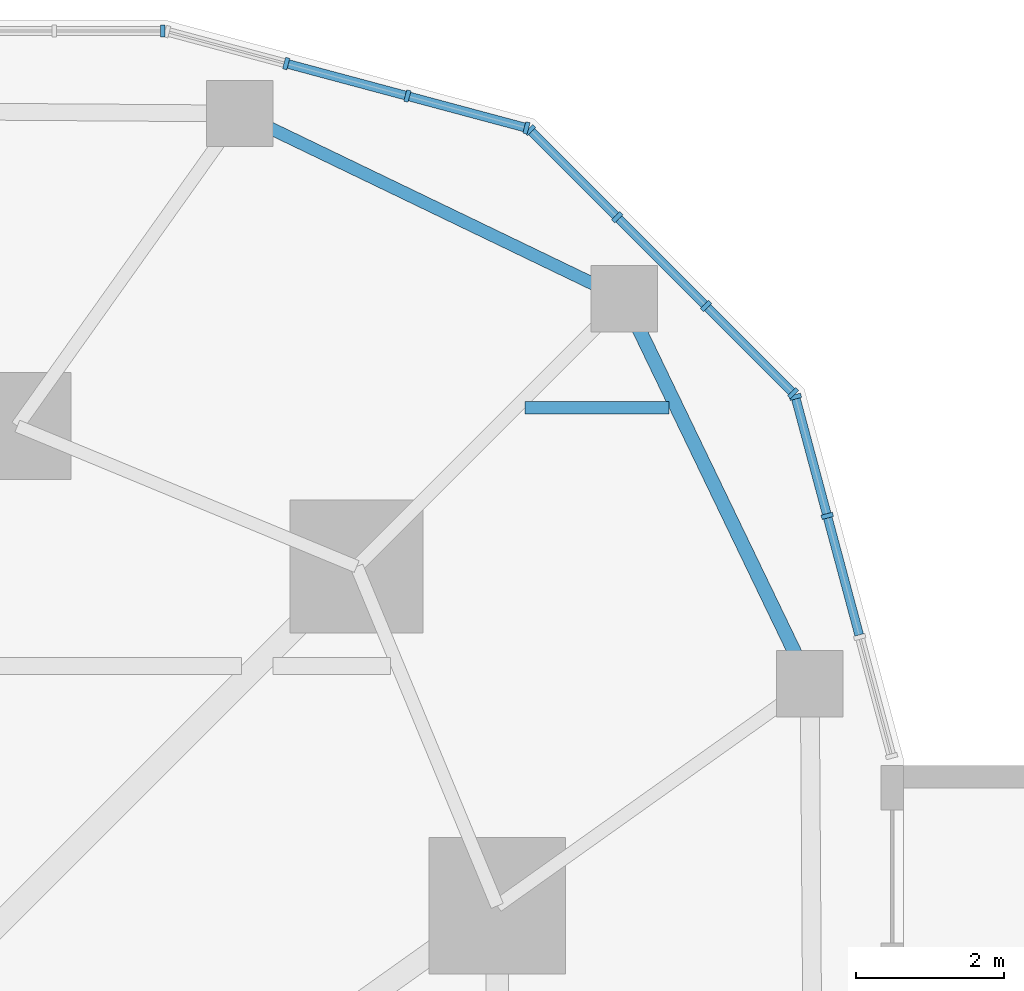
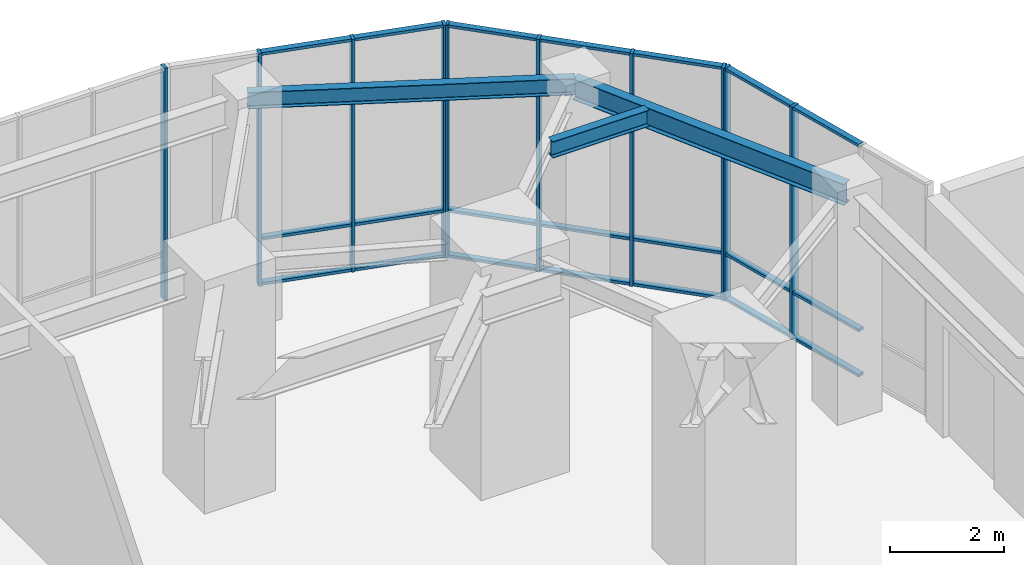
# One storey, part 15 of 24: 31 members, 3 beams, 4 elements without a shape of their own.
"""IFC4 building model written with IfcOpenShell, lengths in metres."""

from ifc_helpers import new_model, si_unit, direction, frame, origin, origin_2d, place, context, subcontext, project, spatial, rectangle, i_section, extrude, material, material_profile, profile_set, type_object, element, aggregate, save


model = new_model("IFC4")

# Units and contexts
model_context = context("Model", 3, precision=1e-05, world=origin(), true_north=direction((0.0, 1.0)))
body_context = subcontext(model_context, "Body", "Model", "MODEL_VIEW")
ifc_project = project(units=[si_unit("LENGTHUNIT", "METRE"), si_unit("AREAUNIT", "SQUARE_METRE"), si_unit("VOLUMEUNIT", "CUBIC_METRE"), si_unit("PLANEANGLEUNIT", "RADIAN"), si_unit("MASSUNIT", "GRAM", prefix="KILO")], contexts=[model_context])

# Site, building, storey
site_placement = place(None, origin())
site = spatial("IfcSite", under=ifc_project, at=site_placement, CompositionType="ELEMENT")
building_placement = place(site_placement, origin())
building = spatial("IfcBuilding", under=site, at=building_placement, Name="Nakasero Lantern House", CompositionType="ELEMENT")
storey_placement = place(building_placement, frame((0.0, 0.0, 6.0)))
storey = spatial("IfcBuildingStorey", under=building, at=storey_placement, Name="L01", CompositionType="ELEMENT", Elevation=6.0)

# Beam
ifc_material_1 = material(Name="Steel S355", Category="steel")
ifc_material_profile_1 = material_profile(ifc_material_1, i_section(OverallWidth=0.17138671875, OverallDepth=0.35498046875, WebThickness=0.00732421875, FlangeThickness=0.011474609375, FilletRadius=0.01025390625, at=origin_2d()), Name="UB 356x171x51")
ifc_profile_set_1 = profile_set([ifc_material_profile_1], Name="Steel S355")
beam_type_1 = type_object("IfcBeamType", Name="Infill beam UB 356x171x51", PredefinedType="JOIST", material=ifc_profile_set_1)
beam_1_placement = place(storey_placement, frame((22.875732421875, 22.75, 4.62255859375), z_axis=(1.0, 0.0, 0.0), x_axis=(0.0, 1.0, 0.0)))
element("IfcBeam", 1, at=beam_1_placement, inside=storey, type_object=beam_type_1, Name="Infill beam L02 15.2", PredefinedType="JOIST", context=body_context, shape_type="SweptSolid", body=[
    extrude(i_section(OverallWidth=0.17138671875, OverallDepth=0.35498046875, WebThickness=0.00732421875, FlangeThickness=0.011474609375, FilletRadius=0.01025390625, at=origin_2d()), origin(), (0.0, 0.0, 1.0), 1.950927734375),
])

# Curtain wall, members
ifc_material_2 = material(Name="Aluminium 6063-T6 and glass", Category="aluminium")
curtain_wall_type = type_object("IfcCurtainWallType", Name="Podium curtain wall CW-2", PredefinedType="USERDEFINED", material=ifc_material_2)
curtain_wall_1_placement = place(storey_placement, origin())
curtain_wall_1 = element("IfcCurtainWall", 2, at=curtain_wall_1_placement, inside=storey, type_object=curtain_wall_type, Name="Curtain wall CW-2 L01", ObjectType="STICK CURTAIN WALL", PredefinedType="USERDEFINED")
ifc_material_3 = material(Name="Aluminium 6063-T6", Category="aluminium")
ifc_material_profile_2 = material_profile(ifc_material_3, rectangle(XDim=0.06005859375, YDim=0.159912109375, at=origin_2d()), Name="CW-2 mullion 60x160")
ifc_profile_set_2 = profile_set([ifc_material_profile_2], Name="Aluminium 6063-T6")
member_type_1 = type_object("IfcMemberType", Name="Mullion CW-2", PredefinedType="MULLION", material=ifc_profile_set_2)
member_1_placement = place(storey_placement, frame((26.97021484375, 21.283447265625, 0.0), z_axis=(0.0, 0.0, 1.0), x_axis=(-0.258819045103, 0.965925826289, 0.0)))
member_1 = element("IfcMember", 3, at=member_1_placement, type_object=member_type_1, Name="CW-2 mullion 3", PredefinedType="MULLION", context=body_context, shape_type="SweptSolid", body=[
    extrude(rectangle(XDim=0.06005859375, YDim=0.159912109375, at=origin_2d()), origin(), (0.0, 0.0, 1.0), 5.0),
])
member_2_placement = place(storey_placement, frame((26.5380859375, 22.89599609375, 0.0), z_axis=(0.0, 0.0, 1.0), x_axis=(-0.258819045103, 0.965925826289, 0.0)))
member_2 = element("IfcMember", 4, at=member_2_placement, type_object=member_type_1, Name="CW-2 mullion 4", PredefinedType="MULLION", context=body_context, shape_type="SweptSolid", body=[
    extrude(rectangle(XDim=0.06005859375, YDim=0.159912109375, at=origin_2d()), origin(), (0.0, 0.0, 1.0), 5.0),
])

curtain_wall_2_placement = place(storey_placement, origin())
curtain_wall_2 = element("IfcCurtainWall", 5, at=curtain_wall_2_placement, inside=storey, type_object=curtain_wall_type, Name="Curtain wall CW-2 L01", ObjectType="STICK CURTAIN WALL", PredefinedType="USERDEFINED")
member_3_placement = place(storey_placement, frame((26.509033203125, 22.9462890625, 0.0), z_axis=(0.0, 0.0, 1.0), x_axis=(-0.707106781187, 0.707106781187, 0.0)))
member_3 = element("IfcMember", 6, at=member_3_placement, type_object=member_type_1, Name="CW-2 mullion 1", PredefinedType="MULLION", context=body_context, shape_type="SweptSolid", body=[
    extrude(rectangle(XDim=0.06005859375, YDim=0.159912109375, at=origin_2d()), origin(), (0.0, 0.0, 1.0), 5.0),
])
member_4_placement = place(storey_placement, frame((25.32861328125, 24.126708984375, 0.0), z_axis=(0.0, 0.0, 1.0), x_axis=(-0.707106781187, 0.707106781187, 0.0)))
member_4 = element("IfcMember", 7, at=member_4_placement, type_object=member_type_1, Name="CW-2 mullion 2", PredefinedType="MULLION", context=body_context, shape_type="SweptSolid", body=[
    extrude(rectangle(XDim=0.06005859375, YDim=0.159912109375, at=origin_2d()), origin(), (0.0, 0.0, 1.0), 5.0),
])
member_5_placement = place(storey_placement, frame((24.126708984375, 25.32861328125, 0.0), z_axis=(0.0, 0.0, 1.0), x_axis=(-0.707106781187, 0.707106781187, 0.0)))
member_5 = element("IfcMember", 8, at=member_5_placement, type_object=member_type_1, Name="CW-2 mullion 3", PredefinedType="MULLION", context=body_context, shape_type="SweptSolid", body=[
    extrude(rectangle(XDim=0.06005859375, YDim=0.159912109375, at=origin_2d()), origin(), (0.0, 0.0, 1.0), 5.0),
])
member_6_placement = place(storey_placement, frame((22.9462890625, 26.509033203125, 0.0), z_axis=(0.0, 0.0, 1.0), x_axis=(-0.707106781187, 0.707106781187, 0.0)))
member_6 = element("IfcMember", 9, at=member_6_placement, type_object=member_type_1, Name="CW-2 mullion 4", PredefinedType="MULLION", context=body_context, shape_type="SweptSolid", body=[
    extrude(rectangle(XDim=0.06005859375, YDim=0.159912109375, at=origin_2d()), origin(), (0.0, 0.0, 1.0), 5.0),
])

curtain_wall_3_placement = place(storey_placement, origin())
curtain_wall_3 = element("IfcCurtainWall", 10, at=curtain_wall_3_placement, inside=storey, type_object=curtain_wall_type, Name="Curtain wall CW-2 L01", ObjectType="STICK CURTAIN WALL", PredefinedType="USERDEFINED")
member_7_placement = place(storey_placement, frame((22.89599609375, 26.5380859375, 0.0), z_axis=(0.0, 0.0, 1.0), x_axis=(-0.965925826289, 0.258819045103, 0.0)))
member_7 = element("IfcMember", 11, at=member_7_placement, type_object=member_type_1, Name="CW-2 mullion 1", PredefinedType="MULLION", context=body_context, shape_type="SweptSolid", body=[
    extrude(rectangle(XDim=0.06005859375, YDim=0.159912109375, at=origin_2d()), origin(), (0.0, 0.0, 1.0), 5.0),
])
member_8_placement = place(storey_placement, frame((21.283447265625, 26.97021484375, 0.0), z_axis=(0.0, 0.0, 1.0), x_axis=(-0.965925826289, 0.258819045103, 0.0)))
member_8 = element("IfcMember", 12, at=member_8_placement, type_object=member_type_1, Name="CW-2 mullion 2", PredefinedType="MULLION", context=body_context, shape_type="SweptSolid", body=[
    extrude(rectangle(XDim=0.06005859375, YDim=0.159912109375, at=origin_2d()), origin(), (0.0, 0.0, 1.0), 5.0),
])
member_9_placement = place(storey_placement, frame((19.6416015625, 27.41015625, 0.0), z_axis=(0.0, 0.0, 1.0), x_axis=(-0.965925826289, 0.258819045103, 0.0)))
member_9 = element("IfcMember", 13, at=member_9_placement, type_object=member_type_1, Name="CW-2 mullion 3", PredefinedType="MULLION", context=body_context, shape_type="SweptSolid", body=[
    extrude(rectangle(XDim=0.06005859375, YDim=0.159912109375, at=origin_2d()), origin(), (0.0, 0.0, 1.0), 5.0),
])

# Curtain wall, member
curtain_wall_4_placement = place(storey_placement, origin())
curtain_wall_4 = element("IfcCurtainWall", 14, at=curtain_wall_4_placement, inside=storey, type_object=curtain_wall_type, Name="Curtain wall CW-2 L01", ObjectType="STICK CURTAIN WALL", PredefinedType="USERDEFINED")
member_10_placement = place(storey_placement, frame((17.969970703125, 27.85009765625, 0.0), z_axis=(0.0, 0.0, 1.0), x_axis=(-1.0, 0.0, 0.0)))
member_10 = element("IfcMember", 15, at=member_10_placement, type_object=member_type_1, Name="CW-2 mullion 1", PredefinedType="MULLION", context=body_context, shape_type="SweptSolid", body=[
    extrude(rectangle(XDim=0.06005859375, YDim=0.159912109375, at=origin_2d()), origin(), (0.0, 0.0, 1.0), 5.0),
])
aggregate(curtain_wall_4, [member_10])

# Beams
ifc_material_4 = material(Name="Steel S355", Category="steel")
ifc_material_profile_3 = material_profile(ifc_material_4, i_section(OverallWidth=0.17138671875, OverallDepth=0.35498046875, WebThickness=0.00732421875, FlangeThickness=0.011474609375, FilletRadius=0.01025390625, at=origin_2d()), Name="UB 356x171x51")
ifc_profile_set_3 = profile_set([ifc_material_profile_3], Name="Steel S355")
beam_type_2 = type_object("IfcBeamType", Name="Ring beam UB 356x171x51", PredefinedType="BEAM", material=ifc_profile_set_3)
beam_2_placement = place(storey_placement, frame((24.22265625, 24.22265625, 4.62255859375), z_axis=(-0.900897176145, 0.434032577134, 0.0), x_axis=(-0.434032577134, -0.900897176145, 0.0)))
element("IfcBeam", 16, at=beam_2_placement, inside=storey, type_object=beam_type_2, Name="Ring beam L02 POD-C06", PredefinedType="BEAM", context=body_context, shape_type="SweptSolid", body=[
    extrude(i_section(OverallWidth=0.17138671875, OverallDepth=0.35498046875, WebThickness=0.00732421875, FlangeThickness=0.011474609375, FilletRadius=0.01025390625, at=origin_2d()), origin(), (0.0, 0.0, 1.0), 5.78515625),
])
ifc_material_5 = material(Name="Steel S355", Category="steel")
ifc_material_profile_4 = material_profile(ifc_material_5, i_section(OverallWidth=0.18994140625, OverallDepth=0.453369140625, WebThickness=0.008544921875, FlangeThickness=0.0126953125, FilletRadius=0.01025390625, at=origin_2d()), Name="UB 457x191x67")
ifc_profile_set_4 = profile_set([ifc_material_profile_4], Name="Steel S355")
beam_type_3 = type_object("IfcBeamType", Name="Ring beam UB 457x191x67", PredefinedType="BEAM", material=ifc_profile_set_4)
beam_3_placement = place(storey_placement, frame((26.733642578125, 19.0107421875, 4.5732421875), z_axis=(-0.434032577134, 0.900897176145, 0.0), x_axis=(-0.900897176145, -0.434032577134, 0.0)))
element("IfcBeam", 17, at=beam_3_placement, inside=storey, type_object=beam_type_3, Name="Ring beam L02 POD-C05", PredefinedType="BEAM", context=body_context, shape_type="SweptSolid", body=[
    extrude(i_section(OverallWidth=0.18994140625, OverallDepth=0.453369140625, WebThickness=0.008544921875, FlangeThickness=0.0126953125, FilletRadius=0.01025390625, at=origin_2d()), origin(), (0.0, 0.0, 1.0), 5.78515625),
])

# Member
ifc_material_6 = material(Name="Aluminium 6063-T6", Category="aluminium")
ifc_material_profile_5 = material_profile(ifc_material_6, rectangle(XDim=0.06005859375, YDim=0.1201171875, at=origin_2d()), Name="CW-2 transom 60x120")
ifc_profile_set_5 = profile_set([ifc_material_profile_5], Name="Aluminium 6063-T6")
member_type_2 = type_object("IfcMemberType", Name="Transom CW-2", PredefinedType="USERDEFINED", material=ifc_profile_set_5)
member_11_placement = place(storey_placement, frame((27.40234375, 19.670654296875, 0.030029296875), z_axis=(-0.258793147214, 0.965932765235, 0.0), x_axis=(0.0, 0.0, 1.0)))
member_11 = element("IfcMember", 18, at=member_11_placement, type_object=member_type_2, Name="CW-2 transom 2.1", ObjectType="TRANSOM", PredefinedType="USERDEFINED", context=body_context, shape_type="SweptSolid", body=[
    extrude(rectangle(XDim=0.06005859375, YDim=0.1201171875, at=origin_2d()), origin(), (0.0, 0.0, 1.0), 1.6396484375),
])

member_12_placement = place(storey_placement, frame((27.40234375, 19.670654296875, 1.0), z_axis=(-0.258793147214, 0.965932765235, 0.0), x_axis=(0.0, 0.0, 1.0)))
member_12 = element("IfcMember", 19, at=member_12_placement, type_object=member_type_2, Name="CW-2 transom 2.2", ObjectType="TRANSOM", PredefinedType="USERDEFINED", context=body_context, shape_type="SweptSolid", body=[
    extrude(rectangle(XDim=0.06005859375, YDim=0.1201171875, at=origin_2d()), origin(), (0.0, 0.0, 1.0), 1.6396484375),
])

member_13_placement = place(storey_placement, frame((27.40234375, 19.670654296875, 4.969970703125), z_axis=(-0.258793147214, 0.965932765235, 0.0), x_axis=(0.0, 0.0, 1.0)))
member_13 = element("IfcMember", 20, at=member_13_placement, type_object=member_type_2, Name="CW-2 transom 2.3", ObjectType="TRANSOM", PredefinedType="USERDEFINED", context=body_context, shape_type="SweptSolid", body=[
    extrude(rectangle(XDim=0.06005859375, YDim=0.1201171875, at=origin_2d()), origin(), (0.0, 0.0, 1.0), 1.6396484375),
])

member_14_placement = place(storey_placement, frame((26.96240234375, 21.312255859375, 0.030029296875), z_axis=(-0.258776522595, 0.965937219158, 0.0), x_axis=(0.0, 0.0, 1.0)))
member_14 = element("IfcMember", 21, at=member_14_placement, type_object=member_type_2, Name="CW-2 transom 3.1", ObjectType="TRANSOM", PredefinedType="USERDEFINED", context=body_context, shape_type="SweptSolid", body=[
    extrude(rectangle(XDim=0.06005859375, YDim=0.1201171875, at=origin_2d()), origin(), (0.0, 0.0, 1.0), 1.609619140625),
])

member_15_placement = place(storey_placement, frame((26.96240234375, 21.312255859375, 1.0), z_axis=(-0.258776522595, 0.965937219158, 0.0), x_axis=(0.0, 0.0, 1.0)))
member_15 = element("IfcMember", 22, at=member_15_placement, type_object=member_type_2, Name="CW-2 transom 3.2", ObjectType="TRANSOM", PredefinedType="USERDEFINED", context=body_context, shape_type="SweptSolid", body=[
    extrude(rectangle(XDim=0.06005859375, YDim=0.1201171875, at=origin_2d()), origin(), (0.0, 0.0, 1.0), 1.609619140625),
])

member_16_placement = place(storey_placement, frame((26.96240234375, 21.312255859375, 4.969970703125), z_axis=(-0.258776522595, 0.965937219158, 0.0), x_axis=(0.0, 0.0, 1.0)))
member_16 = element("IfcMember", 23, at=member_16_placement, type_object=member_type_2, Name="CW-2 transom 3.3", ObjectType="TRANSOM", PredefinedType="USERDEFINED", context=body_context, shape_type="SweptSolid", body=[
    extrude(rectangle(XDim=0.06005859375, YDim=0.1201171875, at=origin_2d()), origin(), (0.0, 0.0, 1.0), 1.609619140625),
])

aggregate(curtain_wall_1, [member_1, member_2, member_11, member_12, member_13, member_14, member_15, member_16])

member_17_placement = place(storey_placement, frame((26.488037109375, 22.967529296875, 0.030029296875), z_axis=(-0.707182622531, 0.707030931707, 0.0), x_axis=(0.0, 0.0, 1.0)))
member_17 = element("IfcMember", 24, at=member_17_placement, type_object=member_type_2, Name="CW-2 transom 1.1", ObjectType="TRANSOM", PredefinedType="USERDEFINED", context=body_context, shape_type="SweptSolid", body=[
    extrude(rectangle(XDim=0.06005859375, YDim=0.1201171875, at=origin_2d()), origin(), (0.0, 0.0, 1.0), 1.609375),
])

member_18_placement = place(storey_placement, frame((26.488037109375, 22.967529296875, 1.0), z_axis=(-0.707182622531, 0.707030931707, 0.0), x_axis=(0.0, 0.0, 1.0)))
member_18 = element("IfcMember", 25, at=member_18_placement, type_object=member_type_2, Name="CW-2 transom 1.2", ObjectType="TRANSOM", PredefinedType="USERDEFINED", context=body_context, shape_type="SweptSolid", body=[
    extrude(rectangle(XDim=0.06005859375, YDim=0.1201171875, at=origin_2d()), origin(), (0.0, 0.0, 1.0), 1.609375),
])

member_19_placement = place(storey_placement, frame((26.488037109375, 22.967529296875, 4.969970703125), z_axis=(-0.707182622531, 0.707030931707, 0.0), x_axis=(0.0, 0.0, 1.0)))
member_19 = element("IfcMember", 26, at=member_19_placement, type_object=member_type_2, Name="CW-2 transom 1.3", ObjectType="TRANSOM", PredefinedType="USERDEFINED", context=body_context, shape_type="SweptSolid", body=[
    extrude(rectangle(XDim=0.06005859375, YDim=0.1201171875, at=origin_2d()), origin(), (0.0, 0.0, 1.0), 1.609375),
])

member_20_placement = place(storey_placement, frame((25.307373046875, 24.14794921875, 0.030029296875), z_axis=(-0.707106781187, 0.707106781187, 0.0), x_axis=(0.0, 0.0, 1.0)))
member_20 = element("IfcMember", 27, at=member_20_placement, type_object=member_type_2, Name="CW-2 transom 2.1", ObjectType="TRANSOM", PredefinedType="USERDEFINED", context=body_context, shape_type="SweptSolid", body=[
    extrude(rectangle(XDim=0.06005859375, YDim=0.1201171875, at=origin_2d()), origin(), (0.0, 0.0, 1.0), 1.6396484375),
])

member_21_placement = place(storey_placement, frame((25.307373046875, 24.14794921875, 1.0), z_axis=(-0.707106781187, 0.707106781187, 0.0), x_axis=(0.0, 0.0, 1.0)))
member_21 = element("IfcMember", 28, at=member_21_placement, type_object=member_type_2, Name="CW-2 transom 2.2", ObjectType="TRANSOM", PredefinedType="USERDEFINED", context=body_context, shape_type="SweptSolid", body=[
    extrude(rectangle(XDim=0.06005859375, YDim=0.1201171875, at=origin_2d()), origin(), (0.0, 0.0, 1.0), 1.6396484375),
])

member_22_placement = place(storey_placement, frame((25.307373046875, 24.14794921875, 4.969970703125), z_axis=(-0.707106781187, 0.707106781187, 0.0), x_axis=(0.0, 0.0, 1.0)))
member_22 = element("IfcMember", 29, at=member_22_placement, type_object=member_type_2, Name="CW-2 transom 2.3", ObjectType="TRANSOM", PredefinedType="USERDEFINED", context=body_context, shape_type="SweptSolid", body=[
    extrude(rectangle(XDim=0.06005859375, YDim=0.1201171875, at=origin_2d()), origin(), (0.0, 0.0, 1.0), 1.6396484375),
])

member_23_placement = place(storey_placement, frame((24.10546875, 25.349853515625, 0.030029296875), z_axis=(-0.707030931707, 0.707182622531, 0.0), x_axis=(0.0, 0.0, 1.0)))
member_23 = element("IfcMember", 30, at=member_23_placement, type_object=member_type_2, Name="CW-2 transom 3.1", ObjectType="TRANSOM", PredefinedType="USERDEFINED", context=body_context, shape_type="SweptSolid", body=[
    extrude(rectangle(XDim=0.06005859375, YDim=0.1201171875, at=origin_2d()), origin(), (0.0, 0.0, 1.0), 1.609375),
])

member_24_placement = place(storey_placement, frame((24.10546875, 25.349853515625, 1.0), z_axis=(-0.707030931707, 0.707182622531, 0.0), x_axis=(0.0, 0.0, 1.0)))
member_24 = element("IfcMember", 31, at=member_24_placement, type_object=member_type_2, Name="CW-2 transom 3.2", ObjectType="TRANSOM", PredefinedType="USERDEFINED", context=body_context, shape_type="SweptSolid", body=[
    extrude(rectangle(XDim=0.06005859375, YDim=0.1201171875, at=origin_2d()), origin(), (0.0, 0.0, 1.0), 1.609375),
])

member_25_placement = place(storey_placement, frame((24.10546875, 25.349853515625, 4.969970703125), z_axis=(-0.707030931707, 0.707182622531, 0.0), x_axis=(0.0, 0.0, 1.0)))
member_25 = element("IfcMember", 32, at=member_25_placement, type_object=member_type_2, Name="CW-2 transom 3.3", ObjectType="TRANSOM", PredefinedType="USERDEFINED", context=body_context, shape_type="SweptSolid", body=[
    extrude(rectangle(XDim=0.06005859375, YDim=0.1201171875, at=origin_2d()), origin(), (0.0, 0.0, 1.0), 1.609375),
])

aggregate(curtain_wall_2, [member_3, member_4, member_5, member_6, member_17, member_18, member_19, member_20, member_21, member_22, member_23, member_24, member_25])

member_26_placement = place(storey_placement, frame((22.866943359375, 26.5458984375, 0.030029296875), z_axis=(-0.965937219158, 0.258776522595, 0.0), x_axis=(0.0, 0.0, 1.0)))
member_26 = element("IfcMember", 33, at=member_26_placement, type_object=member_type_2, Name="CW-2 transom 1.1", ObjectType="TRANSOM", PredefinedType="USERDEFINED", context=body_context, shape_type="SweptSolid", body=[
    extrude(rectangle(XDim=0.06005859375, YDim=0.1201171875, at=origin_2d()), origin(), (0.0, 0.0, 1.0), 1.609619140625),
])

member_27_placement = place(storey_placement, frame((22.866943359375, 26.5458984375, 1.0), z_axis=(-0.965937219158, 0.258776522595, 0.0), x_axis=(0.0, 0.0, 1.0)))
member_27 = element("IfcMember", 34, at=member_27_placement, type_object=member_type_2, Name="CW-2 transom 1.2", ObjectType="TRANSOM", PredefinedType="USERDEFINED", context=body_context, shape_type="SweptSolid", body=[
    extrude(rectangle(XDim=0.06005859375, YDim=0.1201171875, at=origin_2d()), origin(), (0.0, 0.0, 1.0), 1.609619140625),
])

member_28_placement = place(storey_placement, frame((22.866943359375, 26.5458984375, 4.969970703125), z_axis=(-0.965937219158, 0.258776522595, 0.0), x_axis=(0.0, 0.0, 1.0)))
member_28 = element("IfcMember", 35, at=member_28_placement, type_object=member_type_2, Name="CW-2 transom 1.3", ObjectType="TRANSOM", PredefinedType="USERDEFINED", context=body_context, shape_type="SweptSolid", body=[
    extrude(rectangle(XDim=0.06005859375, YDim=0.1201171875, at=origin_2d()), origin(), (0.0, 0.0, 1.0), 1.609619140625),
])

member_29_placement = place(storey_placement, frame((21.25439453125, 26.97802734375, 0.030029296875), z_axis=(-0.965932765235, 0.258793147214, 0.0), x_axis=(0.0, 0.0, 1.0)))
member_29 = element("IfcMember", 36, at=member_29_placement, type_object=member_type_2, Name="CW-2 transom 2.1", ObjectType="TRANSOM", PredefinedType="USERDEFINED", context=body_context, shape_type="SweptSolid", body=[
    extrude(rectangle(XDim=0.06005859375, YDim=0.1201171875, at=origin_2d()), origin(), (0.0, 0.0, 1.0), 1.6396484375),
])

member_30_placement = place(storey_placement, frame((21.25439453125, 26.97802734375, 1.0), z_axis=(-0.965932765235, 0.258793147214, 0.0), x_axis=(0.0, 0.0, 1.0)))
member_30 = element("IfcMember", 37, at=member_30_placement, type_object=member_type_2, Name="CW-2 transom 2.2", ObjectType="TRANSOM", PredefinedType="USERDEFINED", context=body_context, shape_type="SweptSolid", body=[
    extrude(rectangle(XDim=0.06005859375, YDim=0.1201171875, at=origin_2d()), origin(), (0.0, 0.0, 1.0), 1.6396484375),
])

member_31_placement = place(storey_placement, frame((21.25439453125, 26.97802734375, 4.969970703125), z_axis=(-0.965932765235, 0.258793147214, 0.0), x_axis=(0.0, 0.0, 1.0)))
member_31 = element("IfcMember", 38, at=member_31_placement, type_object=member_type_2, Name="CW-2 transom 2.3", ObjectType="TRANSOM", PredefinedType="USERDEFINED", context=body_context, shape_type="SweptSolid", body=[
    extrude(rectangle(XDim=0.06005859375, YDim=0.1201171875, at=origin_2d()), origin(), (0.0, 0.0, 1.0), 1.6396484375),
])

aggregate(curtain_wall_3, [member_7, member_8, member_9, member_26, member_27, member_28, member_29, member_30, member_31])

save(model, "model.ifc")
